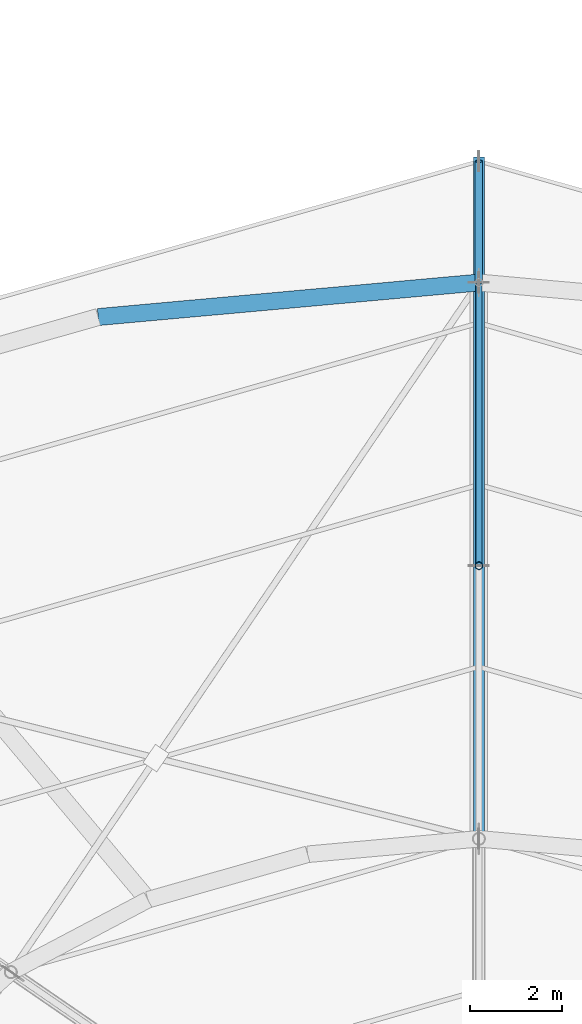
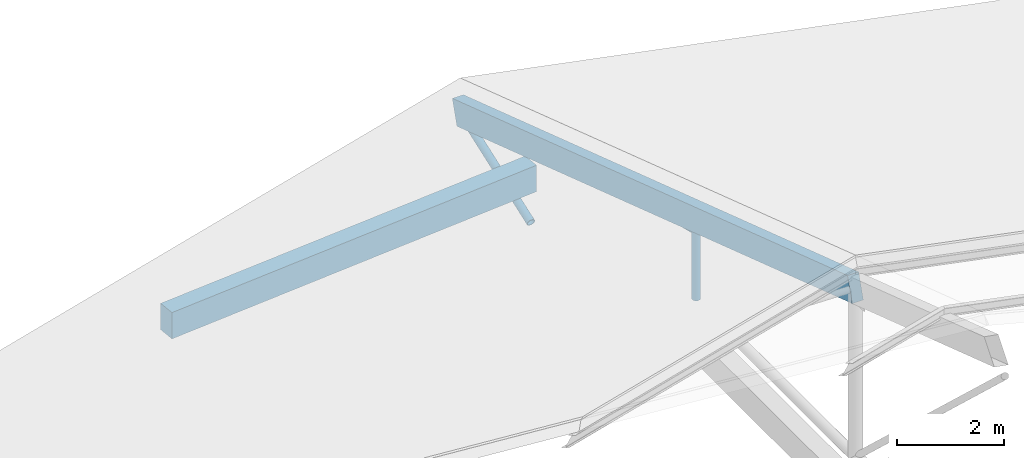
# One storey, part 36 of 66: 4 members, 1 beam.
"""IFC4 building model written with IfcOpenShell, lengths in metres."""

from ifc_helpers import new_model, si_unit, direction, frame, origin, origin_2d, place, context, subcontext, project, spatial, rectangle, hollow_circle, extrude, material, material_profile, profile_set, type_object, element, save


model = new_model("IFC4")

# Units and contexts
model_context = context("Model", 3, precision=1e-05, world=origin(), true_north=direction((0.0, 1.0)))
body_context = subcontext(model_context, "Body", "Model", "MODEL_VIEW")
ifc_project = project(units=[si_unit("LENGTHUNIT", "METRE"), si_unit("AREAUNIT", "SQUARE_METRE"), si_unit("VOLUMEUNIT", "CUBIC_METRE"), si_unit("PLANEANGLEUNIT", "RADIAN"), si_unit("MASSUNIT", "GRAM", prefix="KILO")], contexts=[model_context])

# Site, building, storey
site_placement = place(None, origin())
site = spatial("IfcSite", under=ifc_project, at=site_placement, CompositionType="ELEMENT")
building_placement = place(site_placement, origin())
building = spatial("IfcBuilding", under=site, at=building_placement, Name="Zornivar Specialist Clinic", CompositionType="ELEMENT")
storey_placement = place(building_placement, frame((0.0, 0.0, 16.0)))
storey = spatial("IfcBuildingStorey", under=building, at=storey_placement, Name="L04", CompositionType="ELEMENT", Elevation=16.0)

# Beam
ifc_material_1 = material(Name="Concrete C30/37", Category="concrete")
ifc_material_profile_1 = material_profile(ifc_material_1, rectangle(XDim=0.3701171875, YDim=0.60009765625, at=origin_2d()), Name="RC 370x600")
ifc_profile_set_1 = profile_set([ifc_material_profile_1], Name="Concrete C30/37")
beam_type = type_object("IfcBeamType", Name="BM-RC-SPANDREL-370x600", PredefinedType="SPANDREL", material=ifc_profile_set_1)
beam_placement = place(storey_placement, frame((93.60009765625, 79.60009765625, -0.5400390625), z_axis=(-0.99592467027, -0.09018897465, 0.0), x_axis=(0.09018897465, -0.99592467027, 0.0)))
element("IfcBeam", 1, at=beam_placement, inside=storey, type_object=beam_type, Name="bm:V1:L04:outring:06", PredefinedType="SPANDREL", context=body_context, shape_type="SweptSolid", body=[
    extrude(rectangle(XDim=0.3701171875, YDim=0.60009765625, at=origin_2d()), origin(), (0.0, 0.0, 1.0), 8.31591796875),
])

# Members
ifc_material_2 = material(Name="Steel S355J2", Category="steel")
ifc_material_profile_2 = material_profile(ifc_material_2, hollow_circle(Radius=0.06982421875, WallThickness=0.010009765625, at=origin_2d()), Name="CHS 139.7x10")
ifc_profile_set_2 = profile_set([ifc_material_profile_2], Name="Steel S355J2")
member_type_1 = type_object("IfcMemberType", Name="MEM-DIAG-CHS140H", PredefinedType="BRACE", material=ifc_profile_set_2)
member_1_placement = place(storey_placement, frame((93.60009765625, 79.60009765625, 0.360107421875), z_axis=(0.0, -0.9706293024, 0.240580043485), x_axis=(1.0, 0.0, 0.0)))
element("IfcMember", 2, at=member_1_placement, inside=storey, type_object=member_type_1, Name="mem:V1:L04:diag1:2", PredefinedType="BRACE", context=body_context, shape_type="SweptSolid", body=[
    extrude(hollow_circle(Radius=0.06982421875, WallThickness=0.010009765625, at=origin_2d()), origin(), (0.0, 0.0, 1.0), 6.3466796875),
])
ifc_material_3 = material(Name="Glulam GL28h", Category="wood")
ifc_material_profile_3 = material_profile(ifc_material_3, rectangle(XDim=0.239990234375, YDim=0.56005859375, at=origin_2d()), Name="GL28h 240x560")
ifc_profile_set_3 = profile_set([ifc_material_profile_3], Name="Glulam GL28h")
member_type_2 = type_object("IfcMemberType", Name="MEM-RAFTER-GL560", PredefinedType="RAFTER", material=ifc_profile_set_3)
member_2_placement = place(storey_placement, frame((93.60009765625, 82.239990234375, -0.700927734375), z_axis=(0.0, -0.948843477668, 0.315746820867), x_axis=(1.0, 0.0, 0.0)))
element("IfcMember", 3, at=member_2_placement, inside=storey, type_object=member_type_2, Name="mem:V1:L04:raf1:2", PredefinedType="RAFTER", context=body_context, shape_type="SweptSolid", body=[
    extrude(rectangle(XDim=0.239990234375, YDim=0.56005859375, at=origin_2d()), origin(), (0.0, 0.0, 1.0), 15.53466796875),
])
ifc_material_4 = material(Name="Steel S355J2", Category="steel")
ifc_material_profile_4 = material_profile(ifc_material_4, hollow_circle(Radius=0.084228515625, WallThickness=0.010009765625, at=origin_2d()), Name="CHS 168.3x10")
ifc_profile_set_4 = profile_set([ifc_material_profile_4], Name="Steel S355J2")
member_type_3 = type_object("IfcMemberType", Name="MEM-STRUT-CHS168", PredefinedType="STRUT", material=ifc_profile_set_4)
member_3_placement = place(storey_placement, frame((93.60009765625, 79.60009765625, -1.64990234375), z_axis=(0.0, 0.941044849895, 0.338281821099), x_axis=(-1.0, 0.0, 0.0)))
element("IfcMember", 4, at=member_3_placement, inside=storey, type_object=member_type_3, Name="mem:V1:L04:ebrace:2", PredefinedType="STRUT", context=body_context, shape_type="SweptSolid", body=[
    extrude(hollow_circle(Radius=0.084228515625, WallThickness=0.010009765625, at=origin_2d()), origin(), (0.0, 0.0, 1.0), 2.80517578125),
])
member_4_placement = place(storey_placement, frame((93.60009765625, 73.43994140625, 0.360107421875), z_axis=(0.0, 0.0, 1.0), x_axis=(1.0, 0.0, 0.0)))
element("IfcMember", 5, at=member_4_placement, inside=storey, type_object=member_type_3, Name="mem:V1:L04:vert1:2", PredefinedType="STRUT", context=body_context, shape_type="SweptSolid", body=[
    extrude(hollow_circle(Radius=0.084228515625, WallThickness=0.010009765625, at=origin_2d()), origin(), (0.0, 0.0, 1.0), 1.866943359375),
])

save(model, "model.ifc")
